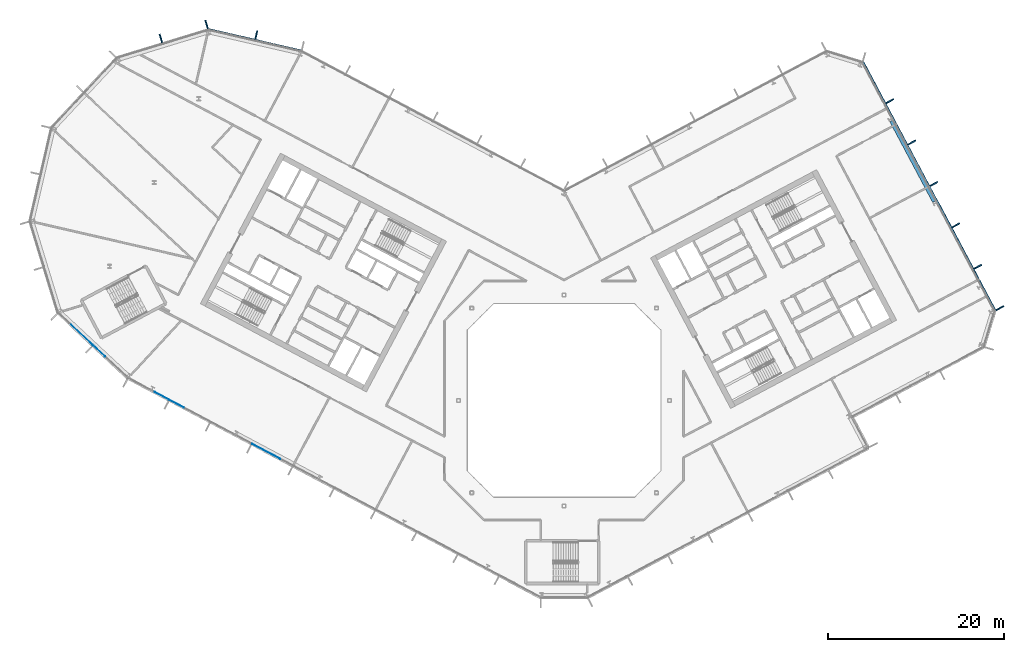
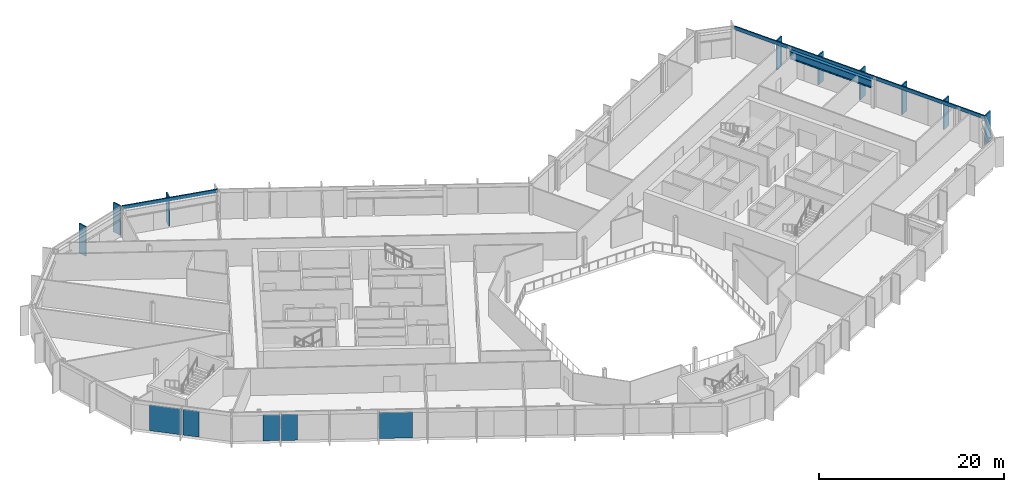
# One storey, part 10 of 26: 11 members, 5 plates, 1 beam, 5 elements without a shape of their own.
"""IFC4 building model written with IfcOpenShell, lengths in metres."""

from ifc_helpers import new_model, si_unit, direction, frame, origin, origin_2d, place, context, subcontext, project, spatial, rectangle, i_section, extrude, material, layer, layer_set, material_profile, profile_set, type_object, element, aggregate, save


model = new_model("IFC4")

# Units and contexts
model_context = context("Model", 3, precision=1e-05, world=origin(), true_north=direction((0.0, 1.0)))
body_context = subcontext(model_context, "Body", "Model", "MODEL_VIEW")
ifc_project = project(units=[si_unit("LENGTHUNIT", "METRE"), si_unit("AREAUNIT", "SQUARE_METRE"), si_unit("VOLUMEUNIT", "CUBIC_METRE"), si_unit("PLANEANGLEUNIT", "RADIAN"), si_unit("MASSUNIT", "GRAM", prefix="KILO")], contexts=[model_context])

# Site, building, storey
site_placement = place(None, origin())
site = spatial("IfcSite", under=ifc_project, at=site_placement, CompositionType="ELEMENT")
building_placement = place(site_placement, origin())
building = spatial("IfcBuilding", under=site, at=building_placement, Name="Cormorant Relay Tower", CompositionType="ELEMENT")
storey_placement = place(building_placement, frame((0.0, 0.0, 220.800048828125)))
storey = spatial("IfcBuildingStorey", under=building, at=storey_placement, Name="L48", CompositionType="ELEMENT", Elevation=220.800048828125)

# Curtain wall, members
ifc_material_1 = material(Name="Aluminium 6063-T6 anodised bronze", Category="aluminium")
ifc_layer_1 = layer(ifc_material_1, 0.199951171875)
ifc_layer_set_1 = layer_set([ifc_layer_1], Name="CW1 unitised bronze curtain wall with vertical fins")
curtain_wall_type = type_object("IfcCurtainWallType", Name="CW1 unitised bronze curtain wall with vertical fins", PredefinedType="NOTDEFINED", material=ifc_layer_set_1)
curtain_wall_1_placement = place(storey_placement, origin())
curtain_wall_1 = element("IfcCurtainWall", 1, at=curtain_wall_1_placement, inside=storey, type_object=curtain_wall_type, Name="CW1 curtain wall 6", PredefinedType="NOTDEFINED")
ifc_material_2 = material(Name="Aluminium 6063-T6 anodised bronze", Category="aluminium")
ifc_material_profile_1 = material_profile(ifc_material_2, rectangle(XDim=0.14990234375, YDim=1.0, at=origin_2d()), Name="AL 150x1000")
ifc_profile_set_1 = profile_set([ifc_material_profile_1], Name="Aluminium 6063-T6 anodised bronze")
member_type_1 = type_object("IfcMemberType", Name="CW1 bronze fin mullion 150 x 1000", PredefinedType="MULLION", material=ifc_profile_set_1)
member_1_placement = place(storey_placement, frame((49.572021484375, 10.501953125, 0.0), z_axis=(0.0, 0.0, 1.0), x_axis=(-0.469471562786, 0.882947592859, 0.0)))
member_1 = element("IfcMember", 2, at=member_1_placement, type_object=member_type_1, Name="CW1 fin 6.1", PredefinedType="MULLION", context=body_context, shape_type="SweptSolid", body=[
    extrude(rectangle(XDim=0.14990234375, YDim=1.0, at=origin_2d()), origin(), (0.0, 0.0, 1.0), 3.89990234375),
])
member_2_placement = place(storey_placement, frame((47.068359375, 15.211181640625, 0.0), z_axis=(0.0, 0.0, 1.0), x_axis=(-0.469471562786, 0.882947592859, 0.0)))
member_2 = element("IfcMember", 3, at=member_2_placement, type_object=member_type_1, Name="CW1 fin 6.2", PredefinedType="MULLION", context=body_context, shape_type="SweptSolid", body=[
    extrude(rectangle(XDim=0.14990234375, YDim=1.0, at=origin_2d()), origin(), (0.0, 0.0, 1.0), 3.89990234375),
])
member_3_placement = place(storey_placement, frame((44.564453125, 19.920166015625, 0.0), z_axis=(0.0, 0.0, 1.0), x_axis=(-0.469471562786, 0.882947592859, 0.0)))
member_3 = element("IfcMember", 4, at=member_3_placement, type_object=member_type_1, Name="CW1 fin 6.3", PredefinedType="MULLION", context=body_context, shape_type="SweptSolid", body=[
    extrude(rectangle(XDim=0.14990234375, YDim=1.0, at=origin_2d()), origin(), (0.0, 0.0, 1.0), 3.89990234375),
])
member_4_placement = place(storey_placement, frame((42.060546875, 24.629150390625, 0.0), z_axis=(0.0, 0.0, 1.0), x_axis=(-0.469471562786, 0.882947592859, 0.0)))
member_4 = element("IfcMember", 5, at=member_4_placement, type_object=member_type_1, Name="CW1 fin 6.4", PredefinedType="MULLION", context=body_context, shape_type="SweptSolid", body=[
    extrude(rectangle(XDim=0.14990234375, YDim=1.0, at=origin_2d()), origin(), (0.0, 0.0, 1.0), 3.89990234375),
])
member_5_placement = place(storey_placement, frame((39.556884765625, 29.338134765625, 0.0), z_axis=(0.0, 0.0, 1.0), x_axis=(-0.469471562786, 0.882947592859, 0.0)))
member_5 = element("IfcMember", 6, at=member_5_placement, type_object=member_type_1, Name="CW1 fin 6.5", PredefinedType="MULLION", context=body_context, shape_type="SweptSolid", body=[
    extrude(rectangle(XDim=0.14990234375, YDim=1.0, at=origin_2d()), origin(), (0.0, 0.0, 1.0), 3.89990234375),
])
member_6_placement = place(storey_placement, frame((37.052978515625, 34.04736328125, 0.0), z_axis=(0.0, 0.0, 1.0), x_axis=(-0.469471562786, 0.882947592859, 0.0)))
member_6 = element("IfcMember", 7, at=member_6_placement, type_object=member_type_1, Name="CW1 fin 6.6", PredefinedType="MULLION", context=body_context, shape_type="SweptSolid", body=[
    extrude(rectangle(XDim=0.14990234375, YDim=1.0, at=origin_2d()), origin(), (0.0, 0.0, 1.0), 3.89990234375),
])

# Curtain wall, member
curtain_wall_2_placement = place(storey_placement, origin())
curtain_wall_2 = element("IfcCurtainWall", 8, at=curtain_wall_2_placement, inside=storey, type_object=curtain_wall_type, Name="CW1 curtain wall 10", PredefinedType="NOTDEFINED")
member_7_placement = place(storey_placement, frame((-35.01220703125, 41.57275390625, 0.0), z_axis=(0.0, 0.0, 1.0), x_axis=(-0.974370064785, 0.224951054344, 0.0)))
member_7 = element("IfcMember", 9, at=member_7_placement, type_object=member_type_1, Name="CW1 fin 10.2", PredefinedType="MULLION", context=body_context, shape_type="SweptSolid", body=[
    extrude(rectangle(XDim=0.14990234375, YDim=1.0, at=origin_2d()), origin(), (0.0, 0.0, 1.0), 3.89990234375),
])

# Curtain wall, members
curtain_wall_3_placement = place(storey_placement, origin())
curtain_wall_3 = element("IfcCurtainWall", 10, at=curtain_wall_3_placement, inside=storey, type_object=curtain_wall_type, Name="CW1 curtain wall 11", PredefinedType="NOTDEFINED")
member_8_placement = place(storey_placement, frame((-40.670166015625, 42.78271484375, 0.0), z_axis=(0.0, 0.0, 1.0), x_axis=(-0.956304755963, -0.292371704723, 0.0)))
member_8 = element("IfcMember", 11, at=member_8_placement, type_object=member_type_1, Name="CW1 fin 11.1", PredefinedType="MULLION", context=body_context, shape_type="SweptSolid", body=[
    extrude(rectangle(XDim=0.14990234375, YDim=1.0, at=origin_2d()), origin(), (0.0, 0.0, 1.0), 3.89990234375),
])
member_9_placement = place(storey_placement, frame((-45.867919921875, 41.193603515625, 0.0), z_axis=(0.0, 0.0, 1.0), x_axis=(-0.956304755963, -0.292371704723, 0.0)))
member_9 = element("IfcMember", 12, at=member_9_placement, type_object=member_type_1, Name="CW1 fin 11.2", PredefinedType="MULLION", context=body_context, shape_type="SweptSolid", body=[
    extrude(rectangle(XDim=0.14990234375, YDim=1.0, at=origin_2d()), origin(), (0.0, 0.0, 1.0), 3.89990234375),
])
aggregate(curtain_wall_3, [member_8, member_9])

# Member
ifc_material_3 = material(Name="Aluminium 6063-T6 anodised bronze", Category="aluminium")
ifc_material_profile_2 = material_profile(ifc_material_3, rectangle(XDim=0.159912109375, YDim=0.449951171875, at=origin_2d()), Name="AL 160x450")
ifc_profile_set_2 = profile_set([ifc_material_profile_2], Name="Aluminium 6063-T6 anodised bronze")
member_type_2 = type_object("IfcMemberType", Name="CW1 bronze transom 160 x 450", PredefinedType="USERDEFINED", material=ifc_profile_set_2)
member_10_placement = place(storey_placement, frame((49.06005859375, 10.229736328125, 3.675048828125), z_axis=(-0.46947036835, 0.882948227951, 0.0), x_axis=(-0.882948227951, -0.46947036835, 0.0)))
member_10 = element("IfcMember", 13, at=member_10_placement, type_object=member_type_2, Name="CW1 transom 6", ObjectType="TRANSOM", PredefinedType="USERDEFINED", context=body_context, shape_type="SweptSolid", body=[
    extrude(rectangle(XDim=0.159912109375, YDim=0.449951171875, at=origin_2d()), origin(), (0.0, 0.0, 1.0), 31.999755859375),
])

aggregate(curtain_wall_1, [member_1, member_2, member_3, member_4, member_5, member_6, member_10])

member_11_placement = place(storey_placement, frame((-29.8466796875, 39.784912109375, 3.675048828125), z_axis=(-0.974365070969, 0.224972683844, 0.0), x_axis=(-0.224972683844, -0.974365070969, 0.0)))
member_11 = element("IfcMember", 14, at=member_11_placement, type_object=member_type_2, Name="CW1 transom 10", ObjectType="TRANSOM", PredefinedType="USERDEFINED", context=body_context, shape_type="SweptSolid", body=[
    extrude(rectangle(XDim=0.159912109375, YDim=0.449951171875, at=origin_2d()), origin(), (0.0, 0.0, 1.0), 10.870361328125),
])

aggregate(curtain_wall_2, [member_7, member_11])

# Beam
ifc_material_4 = material(Name="Steel ASTM A992 (Fy 345 MPa)", Category="steel")
ifc_material_profile_3 = material_profile(ifc_material_4, i_section(OverallWidth=0.4013671875, OverallDepth=0.990478515625, WebThickness=0.0166015625, FlangeThickness=0.031005859375, FilletRadius=0.030029296875, at=origin_2d()), Name="W1000x320")
ifc_profile_set_3 = profile_set([ifc_material_profile_3], Name="Steel ASTM A992 (Fy 345 MPa)")
beam_type = type_object("IfcBeamType", Name="Spandrel W1000x320", PredefinedType="SPANDREL", material=ifc_profile_set_3)
beam_placement = place(storey_placement, frame((42.109619140625, 22.61865234375, 3.044677734375), z_axis=(-0.469476269233, 0.882945090381, 0.0), x_axis=(-0.882945090381, -0.469476269233, 0.0)))
element("IfcBeam", 15, at=beam_placement, inside=storey, type_object=beam_type, Name="Spandrel beam L48-006", PredefinedType="SPANDREL", context=body_context, shape_type="SweptSolid", body=[
    extrude(i_section(OverallWidth=0.4013671875, OverallDepth=0.990478515625, WebThickness=0.0166015625, FlangeThickness=0.031005859375, FilletRadius=0.030029296875, at=origin_2d()), origin(), (0.0, 0.0, 1.0), 10.396484375),
])

# Curtain wall, plate
curtain_wall_4_placement = place(storey_placement, origin())
curtain_wall_4 = element("IfcCurtainWall", 16, at=curtain_wall_4_placement, inside=storey, type_object=curtain_wall_type, Name="CW1 curtain wall 15", PredefinedType="NOTDEFINED")
ifc_material_5 = material(Name="Tinted laminated glass", Category="glass")
ifc_layer_2 = layer(ifc_material_5, 0.0400390625)
ifc_layer_set_2 = layer_set([ifc_layer_2], Name="CW1 tinted vision panel 1800 module")
plate_type_1 = type_object("IfcPlateType", Name="CW1 tinted vision panel 1800 module", PredefinedType="CURTAIN_PANEL", material=ifc_layer_set_2)
plate_1_placement = place(storey_placement, frame((-52.8671875, 5.611572265625, 0.0), z_axis=(0.0, 0.0, 1.0), x_axis=(0.731353701619, -0.681998360062, 0.0)))
plate_1 = element("IfcPlate", 17, at=plate_1_placement, type_object=plate_type_1, Name="CW1 panel V02", PredefinedType="CURTAIN_PANEL", context=body_context, shape_type="SweptSolid", body=[
    extrude(rectangle(XDim=1.800048828125, YDim=0.0400390625, at=origin_2d()), origin(), (0.0, 0.0, 1.0), 3.449951171875),
])

# Curtain wall, plates
curtain_wall_5_placement = place(storey_placement, origin())
curtain_wall_5 = element("IfcCurtainWall", 18, at=curtain_wall_5_placement, inside=storey, type_object=curtain_wall_type, Name="CW1 curtain wall 16", PredefinedType="NOTDEFINED")
plate_2_placement = place(storey_placement, frame((-45.767578125, 0.5283203125, 0.0), z_axis=(0.0, 0.0, 1.0), x_axis=(0.882947592859, -0.469471562786, 0.0)))
plate_2 = element("IfcPlate", 19, at=plate_2_placement, type_object=plate_type_1, Name="CW1 panel V01", PredefinedType="CURTAIN_PANEL", context=body_context, shape_type="SweptSolid", body=[
    extrude(rectangle(XDim=1.800048828125, YDim=0.0400390625, at=origin_2d()), origin(), (0.0, 0.0, 1.0), 3.449951171875),
])
plate_3_placement = place(storey_placement, frame((-44.0458984375, -0.38720703125, 0.0), z_axis=(0.0, 0.0, 1.0), x_axis=(0.882947592859, -0.469471562786, 0.0)))
plate_3 = element("IfcPlate", 20, at=plate_3_placement, type_object=plate_type_1, Name="CW1 panel V02", PredefinedType="CURTAIN_PANEL", context=body_context, shape_type="SweptSolid", body=[
    extrude(rectangle(XDim=1.800048828125, YDim=0.0400390625, at=origin_2d()), origin(), (0.0, 0.0, 1.0), 3.449951171875),
])

# Plate
ifc_material_6 = material(Name="Tinted laminated glass", Category="glass")
ifc_layer_3 = layer(ifc_material_6, 0.0400390625)
ifc_layer_set_3 = layer_set([ifc_layer_3], Name="CW1 tinted vision panel 3600 module")
plate_type_2 = type_object("IfcPlateType", Name="CW1 tinted vision panel 3600 module", PredefinedType="CURTAIN_PANEL", material=ifc_layer_set_3)
plate_4_placement = place(storey_placement, frame((-54.951416015625, 7.55517578125, 0.0), z_axis=(0.0, 0.0, 1.0), x_axis=(0.731353701619, -0.681998360062, 0.0)))
plate_4 = element("IfcPlate", 21, at=plate_4_placement, type_object=plate_type_2, Name="CW1 panel V01", PredefinedType="CURTAIN_PANEL", context=body_context, shape_type="SweptSolid", body=[
    extrude(rectangle(XDim=3.60009765625, YDim=0.0400390625, at=origin_2d()), origin(), (0.0, 0.0, 1.0), 3.449951171875),
])

aggregate(curtain_wall_4, [plate_4, plate_1])

plate_5_placement = place(storey_placement, frame((-33.862548828125, -5.801513671875, 0.0), z_axis=(0.0, 0.0, 1.0), x_axis=(0.882947592859, -0.469471562786, 0.0)))
plate_5 = element("IfcPlate", 22, at=plate_5_placement, type_object=plate_type_2, Name="CW1 panel V04", PredefinedType="CURTAIN_PANEL", context=body_context, shape_type="SweptSolid", body=[
    extrude(rectangle(XDim=3.60009765625, YDim=0.0400390625, at=origin_2d()), origin(), (0.0, 0.0, 1.0), 3.449951171875),
])

aggregate(curtain_wall_5, [plate_2, plate_3, plate_5])

save(model, "model.ifc")
